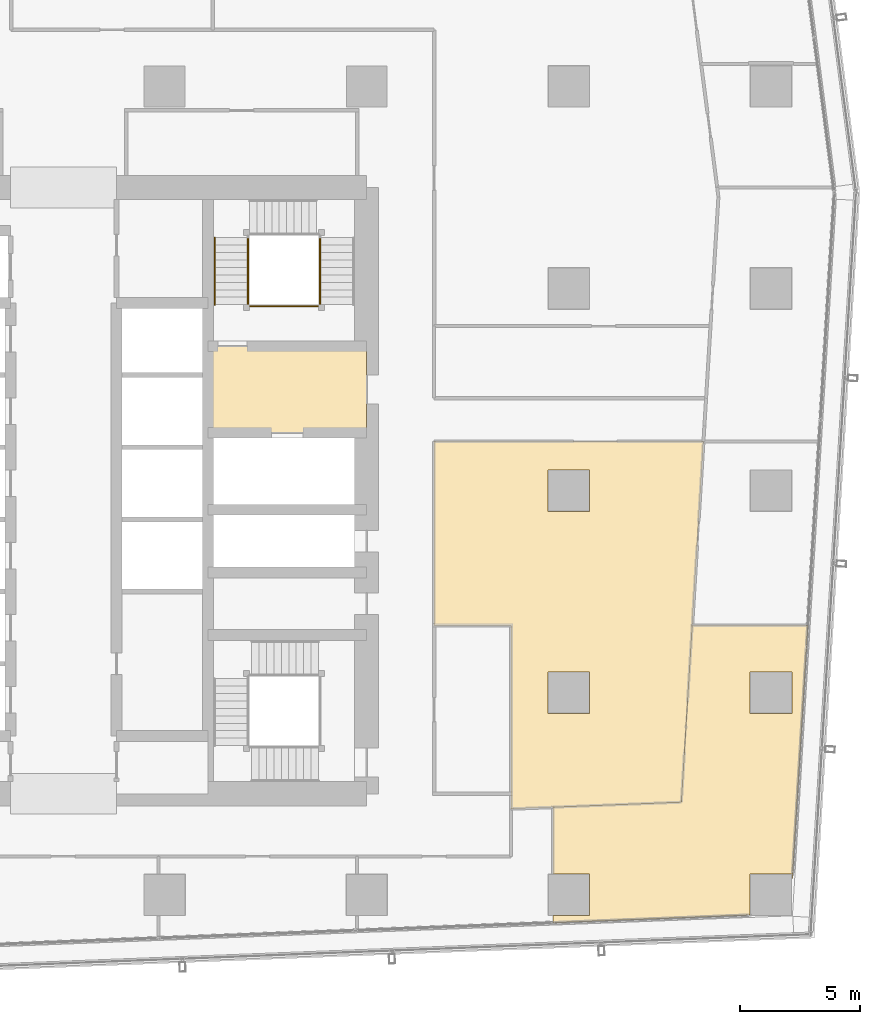
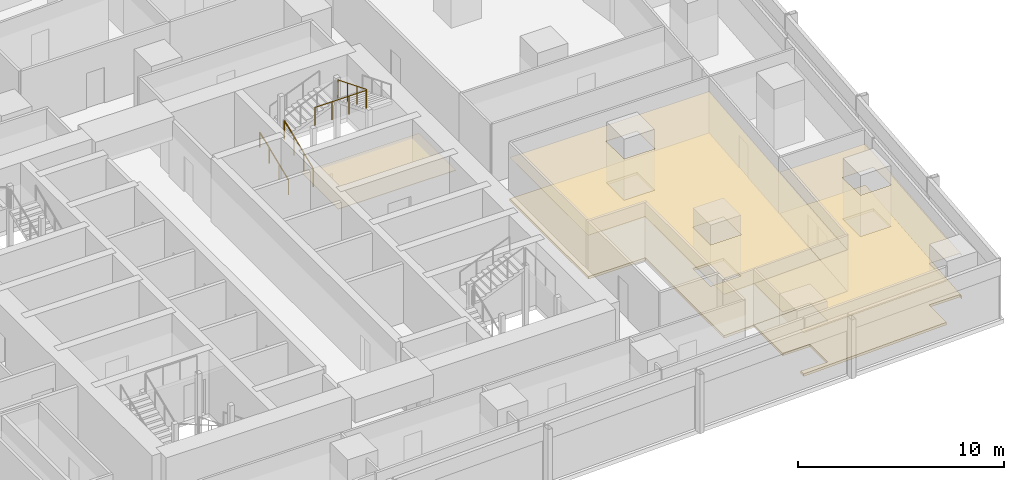
# One storey, part 36 of 38: 5 coverings, 4 railings.
"""IFC4 building model written with IfcOpenShell, lengths in metres."""

from ifc_helpers import new_model, si_unit, direction, frame, origin, origin_2d, place, context, subcontext, project, spatial, polyline, circle, outline, extrude, material, layer, layer_set, type_object, element, save


model = new_model("IFC4")

# Units and contexts
model_context = context("Model", 3, precision=1e-05, world=origin(), true_north=direction((0.0, 1.0)))
body_context = subcontext(model_context, "Body", "Model", "MODEL_VIEW")
ifc_project = project(units=[si_unit("LENGTHUNIT", "METRE"), si_unit("AREAUNIT", "SQUARE_METRE"), si_unit("VOLUMEUNIT", "CUBIC_METRE"), si_unit("PLANEANGLEUNIT", "RADIAN"), si_unit("MASSUNIT", "GRAM", prefix="KILO")], contexts=[model_context])

# Site, building, storey
site_placement = place(None, origin())
site = spatial("IfcSite", under=ifc_project, at=site_placement, CompositionType="ELEMENT")
building_placement = place(site_placement, origin())
building = spatial("IfcBuilding", under=site, at=building_placement, Name="Rekha Terrace Tower", CompositionType="ELEMENT")
storey_placement = place(building_placement, frame((0.0, 0.0, 114.050048828125)))
storey = spatial("IfcBuildingStorey", under=building, at=storey_placement, Name="L28", CompositionType="ELEMENT", Elevation=114.050048828125)

# Coverings
ifc_material_1 = material(Name="Mineral fibre tile in exposed grid", Category="finish")
ifc_layer_1 = layer(ifc_material_1, 0.02001953125)
ifc_layer_set_1 = layer_set([ifc_layer_1], Name="Mineral fibre tile in exposed grid")
covering_type_1 = type_object("IfcCoveringType", Name="CL1 600x1200 office grid ceiling", PredefinedType="CEILING", material=ifc_layer_set_1)
covering_1_placement = place(storey_placement, frame((0.0, 0.0, 2.579833984375)))
element("IfcCovering", 1, at=covering_1_placement, inside=storey, type_object=covering_type_1, Name="Ceiling L28-04", PredefinedType="CEILING", context=body_context, shape_type="SweptSolid", body=[
    extrude(outline(polyline([(68.090087890625, 17.48095703125), (68.735107421875, 27.99609375), (63.926025390625, 27.99609375), (63.47607421875, 20.64990234375), (58.134033203125, 20.44189453125), (58.134033203125, 17.6650390625), (59.6650390625, 17.6650390625), (59.6650390625, 15.93505859375), (58.134033203125, 15.93505859375), (58.134033203125, 15.637939453125), (66.3349609375, 15.95703125), (66.3349609375, 17.6650390625), (68.06494140625, 17.6650390625), (68.06494140625, 17.48095703125), (68.090087890625, 17.48095703125)]), holes=[polyline([(68.06494140625, 24.3349609375), (66.3349609375, 24.3349609375), (66.3349609375, 26.06494140625), (68.06494140625, 26.06494140625), (68.06494140625, 24.3349609375)])]), origin(), (0.0, 0.0, 1.0), 0.02001953125),
])
covering_2_placement = place(storey_placement, frame((0.0, 0.0, 2.579833984375)))
element("IfcCovering", 2, at=covering_2_placement, inside=storey, type_object=covering_type_1, Name="Ceiling L28-11", PredefinedType="CEILING", context=body_context, shape_type="SweptSolid", body=[
    extrude(outline(polyline([(56.39990234375, 20.3740234375), (58.133056640625, 20.44189453125), (63.47607421875, 20.64990234375), (63.926025390625, 27.9970703125), (64.39404296875, 35.633056640625), (53.199951171875, 35.633056640625), (53.199951171875, 28.0), (56.39990234375, 28.0), (56.39990234375, 20.3740234375)]), holes=[polyline([(59.6650390625, 26.06494140625), (59.6650390625, 24.3349609375), (57.93505859375, 24.3349609375), (57.93505859375, 26.06494140625), (59.6650390625, 26.06494140625)]), polyline([(59.6650390625, 32.735107421875), (57.93505859375, 32.735107421875), (57.93505859375, 34.465087890625), (59.6650390625, 34.465087890625), (59.6650390625, 32.735107421875)])]), origin(), (0.0, 0.0, 1.0), 0.02001953125),
])
ifc_material_2 = material(Name="Powder-coated aluminium pan", Category="aluminium")
ifc_layer_2 = layer(ifc_material_2, 0.030029296875)
ifc_layer_set_2 = layer_set([ifc_layer_2], Name="Powder-coated aluminium pan")
covering_type_2 = type_object("IfcCoveringType", Name="CL3 300x1200 metal pan ceiling", PredefinedType="CEILING", material=ifc_layer_set_2)
covering_3_placement = place(storey_placement, frame((0.0, 0.0, 2.570068359375)))
element("IfcCovering", 3, at=covering_3_placement, inside=storey, type_object=covering_type_2, Name="Ceiling L28-FLB2", PredefinedType="CEILING", context=body_context, shape_type="SweptSolid", body=[
    extrude(outline(polyline([(50.39990234375, 39.60009765625), (43.800048828125, 39.60009765625), (43.800048828125, 36.0), (50.39990234375, 36.0), (50.39990234375, 39.60009765625)])), origin(), (0.0, 0.0, 1.0), 0.02978515625),
])

# Railings
ifc_material_3 = material(Name="Stainless steel balustrade", Category="steel")
railing_type_1 = type_object("IfcRailingType", Name="GR1 1100 stair guard", PredefinedType="GUARDRAIL", material=ifc_material_3)
railing_1_placement = place(storey_placement, frame((45.465087890625, 41.324951171875, 0.125)))
element("IfcRailing", 4, at=railing_1_placement, inside=storey, type_object=railing_type_1, Name="Guard ST2 L28 flight 1", PredefinedType="GUARDRAIL", context=body_context, shape_type="SweptSolid", body=[
    extrude(circle(Radius=0.02392578125, at=origin_2d()), frame((0.0, 0.0, 1.076171875), z_axis=(0.0, 0.927443287984, 0.373963831907), x_axis=(-1.0, 0.0, 0.0)), (0.0, 0.0, 1.0), 3.00830078125),
    extrude(circle(Radius=0.02099609375, at=origin_2d()), origin(), (0.0, 0.0, 1.0), 1.052001953125),
    extrude(circle(Radius=0.02099609375, at=origin_2d()), frame((0.0, 0.929931640625, 0.375)), (0.0, 0.0, 1.0), 1.052001953125),
    extrude(circle(Radius=0.02099609375, at=origin_2d()), frame((0.0, 1.860107421875, 0.75)), (0.0, 0.0, 1.0), 1.052001953125),
    extrude(circle(Radius=0.02099609375, at=origin_2d()), frame((0.0, 2.7900390625, 1.125)), (0.0, 0.0, 1.0), 1.052001953125),
])
railing_2_placement = place(storey_placement, frame((48.4599609375, 44.114990234375, 2.625)))
element("IfcRailing", 5, at=railing_2_placement, inside=storey, type_object=railing_type_1, Name="Guard ST2 L28 flight 3", PredefinedType="GUARDRAIL", context=body_context, shape_type="SweptSolid", body=[
    extrude(circle(Radius=0.02392578125, at=origin_2d()), frame((0.0, 0.0, 1.076171875), z_axis=(0.0, -0.927443287984, 0.373963831907), x_axis=(1.0, 0.0, 0.0)), (0.0, 0.0, 1.0), 3.00830078125),
    extrude(circle(Radius=0.02099609375, at=origin_2d()), origin(), (0.0, 0.0, 1.0), 1.052001953125),
    extrude(circle(Radius=0.02099609375, at=origin_2d()), frame((0.0, -0.929931640625, 0.375)), (0.0, 0.0, 1.0), 1.052001953125),
    extrude(circle(Radius=0.02099609375, at=origin_2d()), frame((0.0, -1.860107421875, 0.75)), (0.0, 0.0, 1.0), 1.052001953125),
    extrude(circle(Radius=0.02099609375, at=origin_2d()), frame((0.0, -2.7900390625, 1.125)), (0.0, 0.0, 1.0), 1.052001953125),
])
railing_3_placement = place(storey_placement, frame((45.52490234375, 41.264892578125, 3.75)))
element("IfcRailing", 6, at=railing_3_placement, inside=storey, type_object=railing_type_1, Name="Guard ST2 L28 landing 4", PredefinedType="GUARDRAIL", context=body_context, shape_type="SweptSolid", body=[
    extrude(circle(Radius=0.02392578125, at=origin_2d()), frame((0.0, 0.0, 1.076171875), z_axis=(1.0, 0.0, 0.0), x_axis=(0.0, 1.0, 0.0)), (0.0, 0.0, 1.0), 2.875),
    extrude(circle(Radius=0.02099609375, at=origin_2d()), origin(), (0.0, 0.0, 1.0), 1.052001953125),
    extrude(circle(Radius=0.02099609375, at=origin_2d()), frame((0.958251953125, 0.0, 0.0)), (0.0, 0.0, 1.0), 1.052001953125),
    extrude(circle(Radius=0.02099609375, at=origin_2d()), frame((1.916748046875, 0.0, 0.0)), (0.0, 0.0, 1.0), 1.052001953125),
    extrude(circle(Radius=0.02099609375, at=origin_2d()), frame((2.875, 0.0, 0.0)), (0.0, 0.0, 1.0), 1.052001953125),
])
ifc_material_4 = material(Name="Stainless steel tube", Category="steel")
railing_type_2 = type_object("IfcRailingType", Name="HR1 900 stair handrail", PredefinedType="HANDRAIL", material=ifc_material_4)
railing_4_placement = place(storey_placement, frame((44.0849609375, 41.324951171875, 0.125)))
element("IfcRailing", 7, at=railing_4_placement, inside=storey, type_object=railing_type_2, Name="Handrail ST2 L28 flight 1", PredefinedType="HANDRAIL", context=body_context, shape_type="SweptSolid", body=[
    extrude(circle(Radius=0.02392578125, at=origin_2d()), frame((0.0, 0.0, 0.8759765625), z_axis=(0.0, 0.927443287984, 0.373963831907), x_axis=(-1.0, 0.0, 0.0)), (0.0, 0.0, 1.0), 3.00830078125),
    extrude(circle(Radius=0.02099609375, at=origin_2d()), origin(), (0.0, 0.0, 1.0), 0.851806640625),
    extrude(circle(Radius=0.02099609375, at=origin_2d()), frame((0.0, 0.929931640625, 0.375)), (0.0, 0.0, 1.0), 0.851806640625),
    extrude(circle(Radius=0.02099609375, at=origin_2d()), frame((0.0, 1.860107421875, 0.75)), (0.0, 0.0, 1.0), 0.851806640625),
    extrude(circle(Radius=0.02099609375, at=origin_2d()), frame((0.0, 2.7900390625, 1.125)), (0.0, 0.0, 1.0), 0.851806640625),
])

# Coverings
ifc_material_5 = material(Name="Calcium sulphate panels on steel pedestals", Category="steel")
ifc_layer_3 = layer(ifc_material_5, 0.14990234375)
ifc_layer_set_3 = layer_set([ifc_layer_3], Name="Calcium sulphate panels on steel pedestals")
covering_type_3 = type_object("IfcCoveringType", Name="RF1 150 raised access floor", PredefinedType="FLOORING", material=ifc_layer_set_3)
covering_4_placement = place(storey_placement, origin())
element("IfcCovering", 8, at=covering_4_placement, inside=storey, type_object=covering_type_3, Name="Raised floor L28-04", PredefinedType="FLOORING", context=body_context, shape_type="SweptSolid", body=[
    extrude(outline(polyline([(68.090087890625, 17.48095703125), (68.735107421875, 27.99609375), (63.926025390625, 27.99609375), (63.47607421875, 20.64990234375), (58.134033203125, 20.44189453125), (58.134033203125, 17.6650390625), (59.6650390625, 17.6650390625), (59.6650390625, 15.93505859375), (58.134033203125, 15.93505859375), (58.134033203125, 15.637939453125), (66.3349609375, 15.95703125), (66.3349609375, 17.6650390625), (68.06494140625, 17.6650390625), (68.06494140625, 17.48095703125), (68.090087890625, 17.48095703125)]), holes=[polyline([(68.06494140625, 24.3349609375), (66.3349609375, 24.3349609375), (66.3349609375, 26.06494140625), (68.06494140625, 26.06494140625), (68.06494140625, 24.3349609375)])]), origin(), (0.0, 0.0, 1.0), 0.14990234375),
])
covering_5_placement = place(storey_placement, origin())
element("IfcCovering", 9, at=covering_5_placement, inside=storey, type_object=covering_type_3, Name="Raised floor L28-11", PredefinedType="FLOORING", context=body_context, shape_type="SweptSolid", body=[
    extrude(outline(polyline([(56.39990234375, 20.3740234375), (58.133056640625, 20.44189453125), (63.47607421875, 20.64990234375), (63.926025390625, 27.9970703125), (64.39404296875, 35.633056640625), (53.199951171875, 35.633056640625), (53.199951171875, 28.0), (56.39990234375, 28.0), (56.39990234375, 20.3740234375)]), holes=[polyline([(59.6650390625, 26.06494140625), (59.6650390625, 24.3349609375), (57.93505859375, 24.3349609375), (57.93505859375, 26.06494140625), (59.6650390625, 26.06494140625)]), polyline([(59.6650390625, 32.735107421875), (57.93505859375, 32.735107421875), (57.93505859375, 34.465087890625), (59.6650390625, 34.465087890625), (59.6650390625, 32.735107421875)])]), origin(), (0.0, 0.0, 1.0), 0.14990234375),
])

save(model, "model.ifc")
